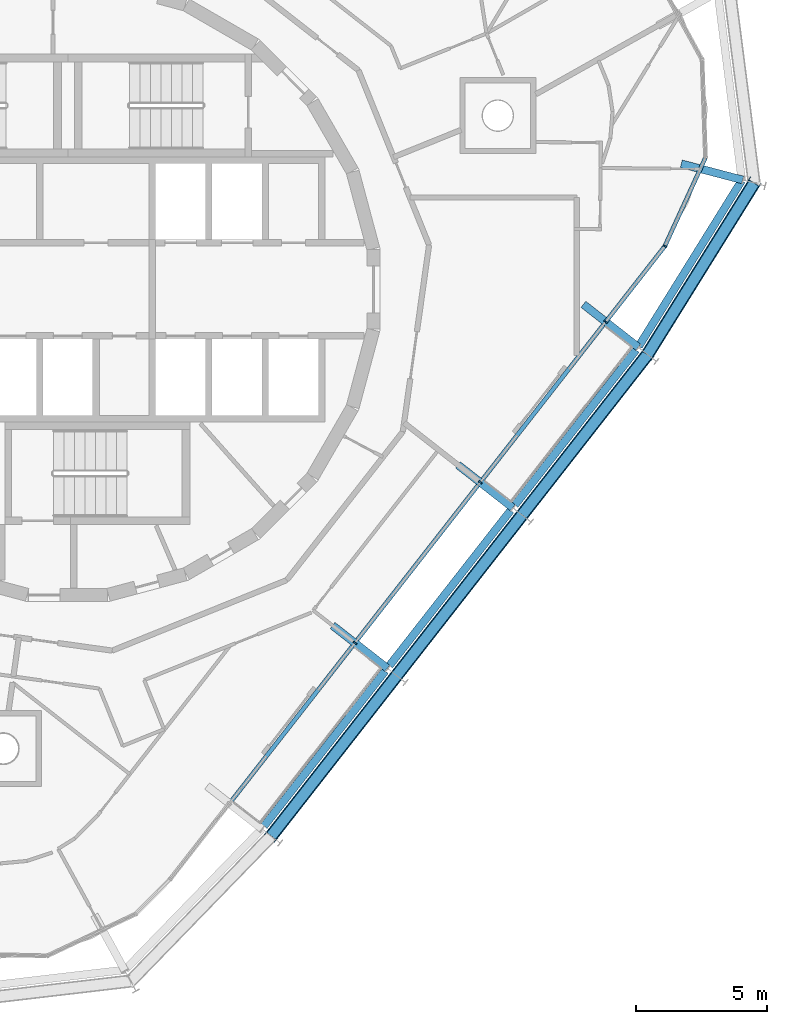
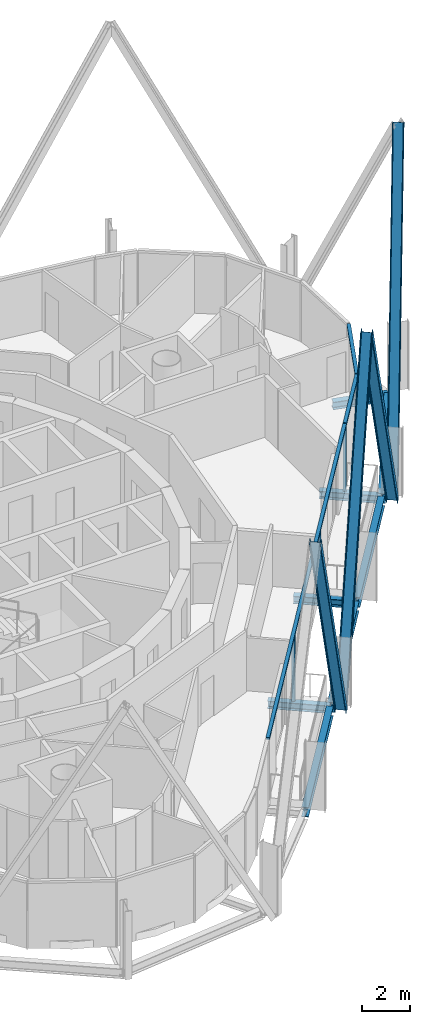
# One storey, part 4 of 15: 11 members, 8 beams, 2 elements without a shape of their own.
"""IFC4 building model written with IfcOpenShell, lengths in metres."""

from ifc_helpers import new_model, si_unit, direction, frame, origin, origin_2d, place, context, subcontext, project, spatial, rectangle, i_section, extrude, material, layer, layer_set, material_profile, profile_set, type_object, element, aggregate, save


model = new_model("IFC4")

# Units and contexts
model_context = context("Model", 3, precision=1e-05, world=origin(), true_north=direction((0.0, 1.0)))
body_context = subcontext(model_context, "Body", "Model", "MODEL_VIEW")
ifc_project = project(units=[si_unit("LENGTHUNIT", "METRE"), si_unit("AREAUNIT", "SQUARE_METRE"), si_unit("VOLUMEUNIT", "CUBIC_METRE"), si_unit("PLANEANGLEUNIT", "RADIAN"), si_unit("MASSUNIT", "GRAM", prefix="KILO")], contexts=[model_context])

# Site, building, storey
site_placement = place(None, origin())
site = spatial("IfcSite", under=ifc_project, at=site_placement, CompositionType="ELEMENT")
building_placement = place(site_placement, origin())
building = spatial("IfcBuilding", under=site, at=building_placement, Name="Spindle Arch Residences", CompositionType="ELEMENT")
storey_placement = place(building_placement, frame((0.0, 0.0, 347.0)))
storey = spatial("IfcBuildingStorey", under=building, at=storey_placement, Name="L89", CompositionType="ELEMENT", Elevation=347.0)

# Curtain wall, members
ifc_material_1 = material(Name="Aluminium bronze unitised frame with tinted glass", Category="aluminium")
ifc_layer_1 = layer(ifc_material_1, 0.159912109375)
ifc_layer_set_1 = layer_set([ifc_layer_1], Name="CW-D corner wall on the fillet arcs")
curtain_wall_type_1 = type_object("IfcCurtainWallType", Name="CW-D corner wall on the fillet arcs", PredefinedType="NOTDEFINED", material=ifc_layer_set_1)
curtain_wall_1_placement = place(storey_placement, origin())
curtain_wall_1 = element("IfcCurtainWall", 1, at=curtain_wall_1_placement, inside=storey, type_object=curtain_wall_type_1, Name="CW-D L89 run 1", PredefinedType="NOTDEFINED")
ifc_material_2 = material(Name="Aluminium bronze anodised mullion", Category="aluminium")
ifc_material_profile_1 = material_profile(ifc_material_2, rectangle(XDim=0.159912109375, YDim=0.06005859375, at=origin_2d()), Name="MU 60x160")
ifc_profile_set_1 = profile_set([ifc_material_profile_1], Name="Aluminium bronze anodised mullion")
member_type_1 = type_object("IfcMemberType", Name="Bronze mullion 60x160", PredefinedType="MULLION", material=ifc_profile_set_1)
member_1_placement = place(storey_placement, frame((20.50341796875, -1.237060546875, -0.3798828125), z_axis=(0.0, 0.0, 1.0), x_axis=(-0.788010753607, 0.615661475326, 0.0)))
member_1 = element("IfcMember", 2, at=member_1_placement, type_object=member_type_1, Name="CW-D mullion 00", PredefinedType="MULLION", context=body_context, shape_type="SweptSolid", body=[
    extrude(rectangle(XDim=0.159912109375, YDim=0.06005859375, at=origin_2d()), origin(), (0.0, 0.0, 1.0), 3.3798828125),
])
member_2_placement = place(storey_placement, frame((22.7568359375, 1.647216796875, -0.3798828125), z_axis=(0.0, 0.0, 1.0), x_axis=(-0.908751129947, 0.417338452362, 0.0)))
member_2 = element("IfcMember", 3, at=member_2_placement, type_object=member_type_1, Name="CW-D mullion 01", PredefinedType="MULLION", context=body_context, shape_type="SweptSolid", body=[
    extrude(rectangle(XDim=0.159912109375, YDim=0.06005859375, at=origin_2d()), origin(), (0.0, 0.0, 1.0), 3.3798828125),
])

ifc_material_3 = material(Name="Aluminium bronze unitised frame with tinted glass", Category="aluminium")
ifc_layer_2 = layer(ifc_material_3, 0.159912109375)
ifc_layer_set_2 = layer_set([ifc_layer_2], Name="CW-C typical residential unitised wall")
curtain_wall_type_2 = type_object("IfcCurtainWallType", Name="CW-C typical residential unitised wall", PredefinedType="NOTDEFINED", material=ifc_layer_set_2)
curtain_wall_2_placement = place(storey_placement, origin())
curtain_wall_2 = element("IfcCurtainWall", 4, at=curtain_wall_2_placement, inside=storey, type_object=curtain_wall_type_2, Name="CW-C L89 run 6", PredefinedType="NOTDEFINED")
member_3_placement = place(storey_placement, frame((10.94140625, -13.4755859375, -0.3798828125), z_axis=(0.0, 0.0, 1.0), x_axis=(-0.788010753607, 0.615661475326, 0.0)))
member_3 = element("IfcMember", 5, at=member_3_placement, type_object=member_type_1, Name="CW-C mullion 19", PredefinedType="MULLION", context=body_context, shape_type="SweptSolid", body=[
    extrude(rectangle(XDim=0.159912109375, YDim=0.06005859375, at=origin_2d()), origin(), (0.0, 0.0, 1.0), 3.3798828125),
])
member_4_placement = place(storey_placement, frame((15.722412109375, -7.3564453125, -0.3798828125), z_axis=(0.0, 0.0, 1.0), x_axis=(-0.788010753607, 0.615661475326, 0.0)))
member_4 = element("IfcMember", 6, at=member_4_placement, type_object=member_type_1, Name="CW-C mullion 00", PredefinedType="MULLION", context=body_context, shape_type="SweptSolid", body=[
    extrude(rectangle(XDim=0.159912109375, YDim=0.06005859375, at=origin_2d()), origin(), (0.0, 0.0, 1.0), 3.3798828125),
])

# Member
ifc_material_4 = material(Name="Aluminium bronze anodised transom", Category="aluminium")
ifc_material_profile_2 = material_profile(ifc_material_4, rectangle(XDim=0.159912109375, YDim=0.1201171875, at=origin_2d()), Name="TR 120x160")
ifc_profile_set_2 = profile_set([ifc_material_profile_2], Name="Aluminium bronze anodised transom")
member_type_2 = type_object("IfcMemberType", Name="Bronze transom 120x160", PredefinedType="USERDEFINED", material=ifc_profile_set_2)
member_5_placement = place(storey_placement, frame((20.521728515625, -1.21337890625, 3.06005859375), z_axis=(0.615647989673, 0.788021289568, 0.0), x_axis=(-0.788021289568, 0.615647989673, 0.0)))
member_5 = element("IfcMember", 7, at=member_5_placement, type_object=member_type_2, Name="CW-D transom 00", ObjectType="TRANSOM", PredefinedType="USERDEFINED", context=body_context, shape_type="SweptSolid", body=[
    extrude(rectangle(XDim=0.159912109375, YDim=0.1201171875, at=origin_2d()), origin(), (0.0, 0.0, 1.0), 3.600341796875),
])

member_6_placement = place(storey_placement, frame((22.769287109375, 1.674560546875, 3.06005859375), z_axis=(0.417326323855, 0.908756699792, 0.0), x_axis=(-0.908756699792, 0.417326323855, 0.0)))
member_6 = element("IfcMember", 8, at=member_6_placement, type_object=member_type_2, Name="CW-D transom 01", ObjectType="TRANSOM", PredefinedType="USERDEFINED", context=body_context, shape_type="SweptSolid", body=[
    extrude(rectangle(XDim=0.159912109375, YDim=0.1201171875, at=origin_2d()), origin(), (0.0, 0.0, 1.0), 3.666748046875),
])

aggregate(curtain_wall_1, [member_1, member_5, member_2, member_6])

member_7_placement = place(storey_placement, frame((6.178955078125, -19.571533203125, 3.06005859375), z_axis=(0.615655051857, 0.788015772128, 0.0), x_axis=(-0.788015772128, 0.615655051857, 0.0)))
member_7 = element("IfcMember", 9, at=member_7_placement, type_object=member_type_2, Name="CW-C transom 00", ObjectType="TRANSOM", PredefinedType="USERDEFINED", context=body_context, shape_type="SweptSolid", body=[
    extrude(rectangle(XDim=0.159912109375, YDim=0.1201171875, at=origin_2d()), origin(), (0.0, 0.0, 1.0), 23.23681640625),
])

aggregate(curtain_wall_2, [member_7, member_3, member_4])

# Members
ifc_material_5 = material(Name="Steel S460ML, intumescent coating R 240", Category="steel")
ifc_material_profile_3 = material_profile(ifc_material_5, i_section(OverallWidth=0.300048828125, OverallDepth=0.5, WebThickness=0.014404296875, FlangeThickness=0.028076171875, FilletRadius=0.027099609375, at=origin_2d()), Name="HEB 500")
ifc_profile_set_3 = profile_set([ifc_material_profile_3], Name="Steel S460ML, intumescent coating R 240")
member_type_3 = type_object("IfcMemberType", Name="Diagrid diagonal HEB 500", PredefinedType="BRACE", material=ifc_profile_set_3)
member_8_placement = place(storey_placement, frame((22.09521484375, -2.480712890625, -0.6298828125), z_axis=(-0.298635087219, -0.382234001999, 0.874479417938), x_axis=(0.538384582142, 0.689098174508, 0.485062622351)))
element("IfcMember", 10, at=member_8_placement, inside=storey, type_object=member_type_3, Name="Diagrid diagonal 9.2.1", PredefinedType="BRACE", context=body_context, shape_type="SweptSolid", body=[
    extrude(i_section(OverallWidth=0.300048828125, OverallDepth=0.5, WebThickness=0.014404296875, FlangeThickness=0.028076171875, FilletRadius=0.027099609375, at=origin_2d()), origin(), (0.0, 0.0, 1.0), 16.009521484375),
])
member_9_placement = place(storey_placement, frame((22.09521484375, -2.480712890625, -0.6298828125), z_axis=(0.25433752775, 0.409210806034, 0.876275606304), x_axis=(-0.462567572684, -0.744237985395, 0.481810192708)))
element("IfcMember", 11, at=member_9_placement, inside=storey, type_object=member_type_3, Name="Diagrid diagonal 9.2.2", PredefinedType="BRACE", context=body_context, shape_type="SweptSolid", body=[
    extrude(i_section(OverallWidth=0.300048828125, OverallDepth=0.5, WebThickness=0.014404296875, FlangeThickness=0.028076171875, FilletRadius=0.027099609375, at=origin_2d()), origin(), (0.0, 0.0, 1.0), 15.976806640625),
])
for number, where, z_axis, x_axis, name in (
    (12, (12.533203125, -14.71923828125, -0.6298828125), (-0.298635087219, -0.382234001999, 0.874479417938), (0.538384582142, 0.689098174508, 0.485062622351), "Diagrid diagonal 9.2.19"),
    (13, (12.533203125, -14.71923828125, -0.6298828125), (0.298636827931, 0.3822209802, 0.874484515185), (-0.538401058549, -0.689091769978, 0.485053432832), "Diagrid diagonal 9.2.20"),
):
    element("IfcMember", number, at=place(storey_placement, frame(where, z_axis=z_axis, x_axis=x_axis)), inside=storey, type_object=member_type_3, Name=name, PredefinedType="BRACE", context=body_context, shape_type="SweptSolid", body=[
        extrude(i_section(OverallWidth=0.300048828125, OverallDepth=0.5, WebThickness=0.014404296875, FlangeThickness=0.028076171875, FilletRadius=0.027099609375, at=origin_2d()), origin(), (0.0, 0.0, 1.0), 16.009521484375),
    ])

# Beams
ifc_material_6 = material(Name="Steel S460ML, intumescent coating R 120", Category="steel")
ifc_material_profile_4 = material_profile(ifc_material_6, i_section(OverallWidth=0.300048828125, OverallDepth=0.5, WebThickness=0.014404296875, FlangeThickness=0.028076171875, FilletRadius=0.027099609375, at=origin_2d()), Name="HEB 500")
ifc_profile_set_4 = profile_set([ifc_material_profile_4], Name="Steel S460ML, intumescent coating R 120")
beam_type_1 = type_object("IfcBeamType", Name="Exoskeleton edge beam HEB 500", PredefinedType="BEAM", material=ifc_profile_set_4)
beam_1_placement = place(storey_placement, frame((17.03955078125, -8.220458984375, -0.6298828125), z_axis=(0.615652879069, 0.788017469663, 0.0), x_axis=(-0.788017469663, 0.615652879069, 0.0)))
element("IfcBeam", 14, at=beam_1_placement, inside=storey, type_object=beam_type_1, Name="Exoskeleton edge beam 1", PredefinedType="BEAM", context=body_context, shape_type="SweptSolid", body=[
    extrude(i_section(OverallWidth=0.300048828125, OverallDepth=0.5, WebThickness=0.014404296875, FlangeThickness=0.028076171875, FilletRadius=0.027099609375, at=origin_2d()), origin(), (0.0, 0.0, 1.0), 7.505615234375),
])
beam_2_placement = place(storey_placement, frame((21.760498046875, -2.17041015625, -0.6298828125), z_axis=(0.527890607505, 0.849312372751, 0.0), x_axis=(-0.849312372751, 0.527890607505, 0.0)))
element("IfcBeam", 15, at=beam_2_placement, inside=storey, type_object=beam_type_1, Name="Exoskeleton edge beam 2", PredefinedType="BEAM", context=body_context, shape_type="SweptSolid", body=[
    extrude(i_section(OverallWidth=0.300048828125, OverallDepth=0.5, WebThickness=0.014404296875, FlangeThickness=0.028076171875, FilletRadius=0.027099609375, at=origin_2d()), origin(), (0.0, 0.0, 1.0), 7.437744140625),
])
for number, where, z_axis, x_axis, name in (
    (16, (7.4775390625, -20.459228515625, -0.6298828125), (0.615673077274, 0.788001689034, 0.0), (-0.788001689034, 0.615673077274, 0.0), "Exoskeleton edge beam 19"),
    (17, (12.258544921875, -14.33984375, -0.6298828125), (0.615673077274, 0.788001689034, 0.0), (-0.788001689034, 0.615673077274, 0.0), "Exoskeleton edge beam 20"),
):
    element("IfcBeam", number, at=place(storey_placement, frame(where, z_axis=z_axis, x_axis=x_axis)), inside=storey, type_object=beam_type_1, Name=name, PredefinedType="BEAM", context=body_context, shape_type="SweptSolid", body=[
        extrude(i_section(OverallWidth=0.300048828125, OverallDepth=0.5, WebThickness=0.014404296875, FlangeThickness=0.028076171875, FilletRadius=0.027099609375, at=origin_2d()), origin(), (0.0, 0.0, 1.0), 7.505859375),
    ])
ifc_material_7 = material(Name="Steel S460ML, intumescent coating R 120", Category="steel")
ifc_material_profile_5 = material_profile(ifc_material_7, i_section(OverallWidth=0.300048828125, OverallDepth=0.389892578125, WebThickness=0.010986328125, FlangeThickness=0.01904296875, FilletRadius=0.027099609375, at=origin_2d()), Name="HEA 400")
ifc_profile_set_5 = profile_set([ifc_material_profile_5], Name="Steel S460ML, intumescent coating R 120")
beam_type_2 = type_object("IfcBeamType", Name="Floor outrigger HEA 400", PredefinedType="BEAM", material=ifc_profile_set_5)
beam_3_placement = place(storey_placement, frame((16.959716796875, -8.322998046875, -0.574951171875), z_axis=(-0.788015993799, 0.615654768127, 0.0), x_axis=(-0.615654768127, -0.788015993799, 0.0)))
element("IfcBeam", 18, at=beam_3_placement, inside=storey, type_object=beam_type_2, Name="Floor outrigger 1", PredefinedType="BEAM", context=body_context, shape_type="SweptSolid", body=[
    extrude(i_section(OverallWidth=0.300048828125, OverallDepth=0.389892578125, WebThickness=0.010986328125, FlangeThickness=0.01904296875, FilletRadius=0.027099609375, at=origin_2d()), origin(), (0.0, 0.0, 1.0), 2.650146484375),
])
beam_4_placement = place(storey_placement, frame((21.740478515625, -2.20361328125, -0.574951171875), z_axis=(-0.787981072726, 0.615699463233, 0.0), x_axis=(-0.615699463233, -0.787981072726, 0.0)))
element("IfcBeam", 19, at=beam_4_placement, inside=storey, type_object=beam_type_2, Name="Floor outrigger 2", PredefinedType="BEAM", context=body_context, shape_type="SweptSolid", body=[
    extrude(i_section(OverallWidth=0.300048828125, OverallDepth=0.389892578125, WebThickness=0.010986328125, FlangeThickness=0.01904296875, FilletRadius=0.027099609375, at=origin_2d()), origin(), (0.0, 0.0, 1.0), 2.64990234375),
])
beam_5_placement = place(storey_placement, frame((25.723388671875, 4.17138671875, -0.574951171875), z_axis=(-0.967207729223, 0.253986630616, 0.0), x_axis=(-0.253986630616, -0.967207729223, 0.0)))
element("IfcBeam", 20, at=beam_5_placement, inside=storey, type_object=beam_type_2, Name="Floor outrigger 3", PredefinedType="BEAM", context=body_context, shape_type="SweptSolid", body=[
    extrude(i_section(OverallWidth=0.300048828125, OverallDepth=0.389892578125, WebThickness=0.010986328125, FlangeThickness=0.01904296875, FilletRadius=0.027099609375, at=origin_2d()), origin(), (0.0, 0.0, 1.0), 2.41943359375),
])
beam_6_placement = place(storey_placement, frame((12.1787109375, -14.4423828125, -0.574951171875), z_axis=(-0.788015993799, 0.615654768127, 0.0), x_axis=(-0.615654768127, -0.788015993799, 0.0)))
element("IfcBeam", 21, at=beam_6_placement, inside=storey, type_object=beam_type_2, Name="Floor outrigger 20", PredefinedType="BEAM", context=body_context, shape_type="SweptSolid", body=[
    extrude(i_section(OverallWidth=0.300048828125, OverallDepth=0.389892578125, WebThickness=0.010986328125, FlangeThickness=0.01904296875, FilletRadius=0.027099609375, at=origin_2d()), origin(), (0.0, 0.0, 1.0), 2.650146484375),
])

save(model, "model.ifc")
